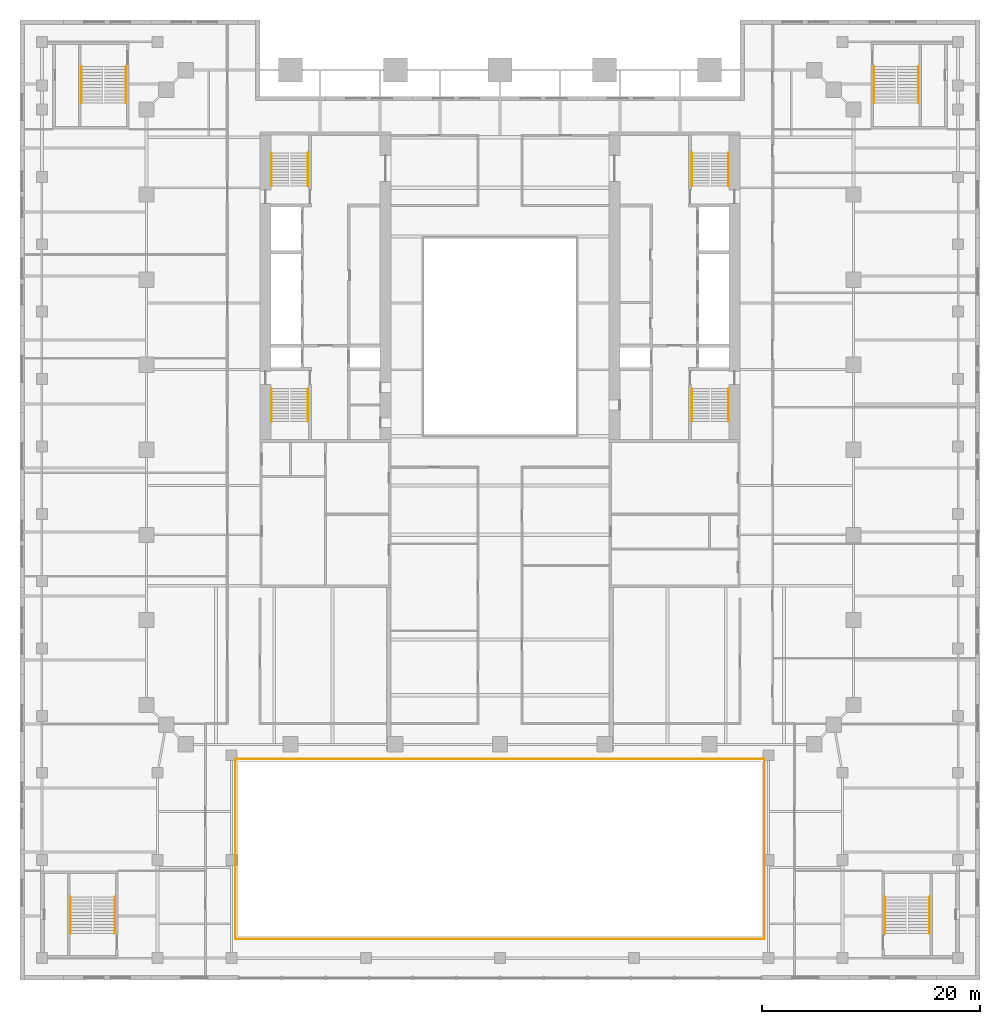
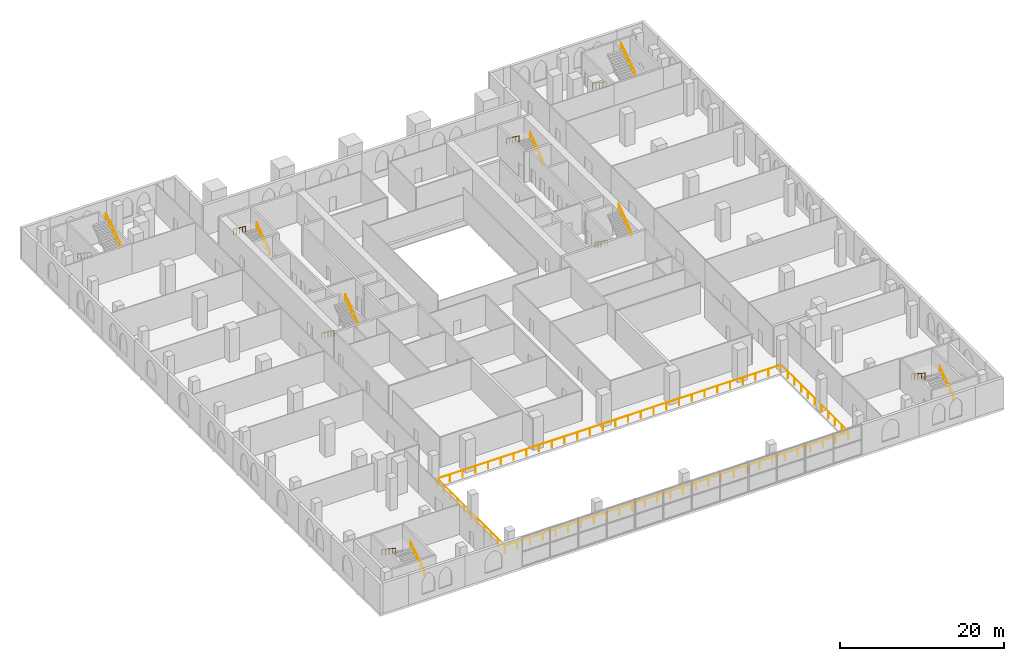
# One storey, part 19 of 19: 20 railings.
"""IFC4 building model written with IfcOpenShell, lengths in metres."""

import ifcopenshell
import ifcopenshell.guid

model = None  # the IFC model being written
_history = None  # IfcOwnerHistory: only IFC2X3 demands one
_inside = {}  # id of a spatial element -> (the spatial element, [elements in it])
_under = {}  # id of a project, library or spatial element -> (it, [spatial elements below it])
_declared = {}  # id of a project -> (the project, [libraries it declares])
_typed = {}  # id of a type object -> (the type object, [elements of that type])
_made_of = {}  # id of a material, layer set ... -> (it, [elements and type objects made of it])


def new_model(schema):
    """Start an empty IFC model of exactly this schema.

    Asked for "IFC4X3", IfcOpenShell would pick the latest addendum, in which some entities
    have other attributes; the version numbers below select the first issue.
    IFC2X3 requires an IfcOwnerHistory on every rooted entity: one is made here for all.
    """
    global model, _history
    if schema == "IFC4X3":
        model = ifcopenshell.file(schema_version=(4, 3, 0, 0))
    else:
        model = ifcopenshell.file(schema=schema)
    _inside.clear()
    _under.clear()
    _declared.clear()
    _typed.clear()
    _made_of.clear()
    _history = None
    if model.schema == "IFC2X3":
        org = make("IfcOrganization", Name="unknown")
        user = make(
            "IfcPersonAndOrganization",
            ThePerson=make("IfcPerson", FamilyName="unknown"),
            TheOrganization=org,
        )
        app = make(
            "IfcApplication",
            ApplicationDeveloper=org,
            Version="unknown",
            ApplicationFullName="unknown",
            ApplicationIdentifier="unknown",
        )
        _history = make(
            "IfcOwnerHistory",
            OwningUser=user,
            OwningApplication=app,
            ChangeAction="ADDED",
            CreationDate=0,
        )
    return model


def make(cls, **values):
    """One entity of the class cls with the attributes given. An attribute that is None is left unset."""
    return model.create_entity(
        cls, **{name: value for name, value in values.items() if value is not None}
    )


def rooted(cls, **values):
    """An entity with a GlobalId (a new one), such as an element, a storey or a relation."""
    return make(cls, GlobalId=ifcopenshell.guid.new(), OwnerHistory=_history, **values)


def si_unit(unit_type, name, prefix=None):
    """IfcSIUnit, for example si_unit("LENGTHUNIT", "METRE", prefix="MILLI")."""
    return make("IfcSIUnit", UnitType=unit_type, Prefix=prefix, Name=name)


def assignment(units):
    """IfcUnitAssignment: the units of a project."""
    return None if units is None else make("IfcUnitAssignment", Units=units)


def point(xyz):
    """IfcCartesianPoint."""
    return None if xyz is None else make("IfcCartesianPoint", Coordinates=xyz)


def direction(xyz):
    """IfcDirection."""
    return None if xyz is None else make("IfcDirection", DirectionRatios=xyz)


def frame(location, z_axis=None, x_axis=None):
    """IfcAxis2Placement3D, a coordinate frame: its origin and axes. An axis left out is left unset."""
    return make(
        "IfcAxis2Placement3D",
        Location=point(location),
        Axis=direction(z_axis),
        RefDirection=direction(x_axis),
    )


def frame_2d(location, x_axis=None):
    """IfcAxis2Placement2D, a coordinate frame in the plane: its origin and x axis."""
    return make(
        "IfcAxis2Placement2D", Location=point(location), RefDirection=direction(x_axis)
    )


def origin():
    """The frame at (0, 0, 0) with its axes left unset."""
    return frame((0.0, 0.0, 0.0))


def origin_2d():
    """The frame at (0, 0) in the plane with its x axis left unset."""
    return frame_2d((0.0, 0.0))


def place(relative_to, where):
    """IfcLocalPlacement: puts the frame where relative to a parent placement (None: the world)."""
    return make(
        "IfcLocalPlacement", PlacementRelTo=relative_to, RelativePlacement=where
    )


def context(
    kind, dimensions, precision=None, world=None, true_north=None, identifier=None
):
    """IfcGeometricRepresentationContext, for example the 3D "Model" context."""
    return make(
        "IfcGeometricRepresentationContext",
        ContextIdentifier=identifier,
        ContextType=kind,
        CoordinateSpaceDimension=dimensions,
        Precision=precision,
        WorldCoordinateSystem=world,
        TrueNorth=true_north,
    )


def subcontext(parent, identifier, kind, view, scale=None):
    """IfcGeometricRepresentationSubContext, for example "Body" below "Model"."""
    return make(
        "IfcGeometricRepresentationSubContext",
        ContextIdentifier=identifier,
        ContextType=kind,
        ParentContext=parent,
        TargetScale=scale,
        TargetView=view,
    )


def project(units=None, contexts=None):
    """IfcProject with its units and contexts."""
    return rooted(
        "IfcProject",
        Name="project",
        RepresentationContexts=contexts,
        UnitsInContext=assignment(units),
    )


def spatial(cls, under=None, at=None, **own):
    """A site, building, storey or space (cls), placed at a placement, below another one or the project."""
    s = rooted(cls, ObjectPlacement=at, **own)
    if under is not None:
        _under.setdefault(under.id(), (under, []))[1].append(s)
    return s


def profile(cls, at=None, kind="AREA", **sizes):
    """A parametric profile (cls). Its sizes go by their IFC names, for example OverallWidth=200.0."""
    return make(cls, ProfileType=kind, Position=at, **sizes)


def circle(**sizes):
    """IfcCircleProfileDef."""
    return profile("IfcCircleProfileDef", **sizes)


def extrude(swept, where, along, depth):
    """IfcExtrudedAreaSolid: the profile swept, set in the frame where, extruded along a direction by depth."""
    return make(
        "IfcExtrudedAreaSolid",
        SweptArea=swept,
        Position=where,
        ExtrudedDirection=direction(along),
        Depth=depth,
    )


def shape(context_of_items, identifier, shape_type, items):
    """IfcShapeRepresentation: the items that make up one representation, for example the "Body"."""
    return make(
        "IfcShapeRepresentation",
        ContextOfItems=context_of_items,
        RepresentationIdentifier=identifier,
        RepresentationType=shape_type,
        Items=items,
    )


def material(Name=None, Category=None):
    """IfcMaterial."""
    return make("IfcMaterial", Name=Name, Category=Category)


def made_of(thing, what):
    """Note that an element or type object is made of a material, layer set ...; save() writes the relation."""
    if what is not None:
        _made_of.setdefault(what.id(), (what, []))[1].append(thing)
    return thing


def type_object(cls, material=None, **own):
    """A type object (cls), such as IfcWallType, which elements share."""
    return made_of(rooted(cls, **own), material)


def element(
    cls,
    number,
    at=None,
    inside=None,
    cuts=None,
    type_object=None,
    material=None,
    context=None,
    identifier="Body",
    shape_type=None,
    held_by="IfcProductDefinitionShape",
    body=None,
    shapes=None,
    **own,
):
    """One element of the class cls, such as IfcWall. Its Tag is "e" and its number.

    at: its placement. inside: the storey or other place that contains it. cuts: it is an
    opening in that element (IfcRelVoidsElement). A single representation is given by context,
    identifier, shape_type and body (its items); several are given by shapes. held_by: the class
    of the entity that holds the representations. save() writes the other relations.
    """
    e = rooted(cls, Tag="e%d" % number, ObjectPlacement=at, **own)
    if body is not None:
        shapes = [shape(context, identifier, shape_type, body)]
    if shapes is not None:
        e.Representation = make(held_by, Representations=shapes)
    if inside is not None:
        _inside.setdefault(inside.id(), (inside, []))[1].append(e)
    if cuts is not None:
        rooted(
            "IfcRelVoidsElement", RelatingBuildingElement=cuts, RelatedOpeningElement=e
        )
    if type_object is not None:
        _typed.setdefault(type_object.id(), (type_object, []))[1].append(e)
    return made_of(e, material)


def aggregate(whole, parts):
    """IfcRelAggregates: a whole, such as a stair, and the parts it consists of."""
    return rooted("IfcRelAggregates", RelatingObject=whole, RelatedObjects=parts)


def save(model, path):
    """Write the relations noted so far, then the file.

    IfcRelAggregates (storeys below a building ...), IfcRelContainedInSpatialStructure (elements
    in a storey), IfcRelDefinesByType, IfcRelAssociatesMaterial and IfcRelDeclares: one each for
    every whole, place, type object, material and project.
    """
    for whole, parts in _under.values():
        aggregate(whole, parts)
    for where, things in _inside.values():
        rooted(
            "IfcRelContainedInSpatialStructure",
            RelatedElements=things,
            RelatingStructure=where,
        )
    for kind, things in _typed.values():
        rooted("IfcRelDefinesByType", RelatedObjects=things, RelatingType=kind)
    for what, things in _made_of.values():
        rooted("IfcRelAssociatesMaterial", RelatedObjects=things, RelatingMaterial=what)
    for by, libraries in _declared.values():
        rooted("IfcRelDeclares", RelatingContext=by, RelatedDefinitions=libraries)
    model.write(path)


model = new_model("IFC4")

# Units and contexts
model_context = context("Model", 3, precision=1e-05, world=origin(), true_north=direction((0.0, 1.0)))
body_context = subcontext(model_context, "Body", "Model", "MODEL_VIEW")
ifc_project = project(units=[si_unit("LENGTHUNIT", "METRE"), si_unit("AREAUNIT", "SQUARE_METRE"), si_unit("VOLUMEUNIT", "CUBIC_METRE"), si_unit("PLANEANGLEUNIT", "RADIAN"), si_unit("MASSUNIT", "GRAM", prefix="KILO")], contexts=[model_context])

# Site, building, storey
site_placement = place(None, origin())
site = spatial("IfcSite", under=ifc_project, at=site_placement, CompositionType="ELEMENT")
building_placement = place(site_placement, origin())
building = spatial("IfcBuilding", under=site, at=building_placement, Name="Ogive Exchange Tower", CompositionType="ELEMENT")
storey_placement = place(building_placement, frame((0.0, 0.0, 24.0)))
storey = spatial("IfcBuildingStorey", under=building, at=storey_placement, Name="L04", CompositionType="ELEMENT", Elevation=24.0)

# Railings
ifc_material_1 = material(Name="Stainless steel 316", Category="steel")
railing_type_1 = type_object("IfcRailingType", Name="Balustrade 1100 glass and stainless steel", PredefinedType="BALUSTRADE", material=ifc_material_1)
railing_1_placement = place(storey_placement, frame((-24.25, -48.25, 0.0)))
element("IfcRailing", 1, at=railing_1_placement, inside=storey, type_object=railing_type_1, Name="Galleria edge balustrade 1", PredefinedType="BALUSTRADE", context=body_context, shape_type="SweptSolid", body=[
    extrude(circle(Radius=0.02392578125, at=origin_2d()), frame((0.0, 0.0, 1.076171875), z_axis=(1.0, 0.0, 0.0), x_axis=(0.0, 1.0, 0.0)), (0.0, 0.0, 1.0), 48.5),
    extrude(circle(Radius=0.02099609375, at=origin_2d()), origin(), (0.0, 0.0, 1.0), 1.052001953125),
    extrude(circle(Radius=0.02099609375, at=origin_2d()), frame((1.79638671875, 0.0, 0.0)), (0.0, 0.0, 1.0), 1.052001953125),
    extrude(circle(Radius=0.02099609375, at=origin_2d()), frame((3.592529296875, 0.0, 0.0)), (0.0, 0.0, 1.0), 1.052001953125),
    extrude(circle(Radius=0.02099609375, at=origin_2d()), frame((5.388916015625, 0.0, 0.0)), (0.0, 0.0, 1.0), 1.052001953125),
    extrude(circle(Radius=0.02099609375, at=origin_2d()), frame((7.185302734375, 0.0, 0.0)), (0.0, 0.0, 1.0), 1.052001953125),
    extrude(circle(Radius=0.02099609375, at=origin_2d()), frame((8.9814453125, 0.0, 0.0)), (0.0, 0.0, 1.0), 1.052001953125),
    extrude(circle(Radius=0.02099609375, at=origin_2d()), frame((10.77783203125, 0.0, 0.0)), (0.0, 0.0, 1.0), 1.052001953125),
    extrude(circle(Radius=0.02099609375, at=origin_2d()), frame((12.573974609375, 0.0, 0.0)), (0.0, 0.0, 1.0), 1.052001953125),
    extrude(circle(Radius=0.02099609375, at=origin_2d()), frame((14.370361328125, 0.0, 0.0)), (0.0, 0.0, 1.0), 1.052001953125),
    extrude(circle(Radius=0.02099609375, at=origin_2d()), frame((16.166748046875, 0.0, 0.0)), (0.0, 0.0, 1.0), 1.052001953125),
    extrude(circle(Radius=0.02099609375, at=origin_2d()), frame((17.962890625, 0.0, 0.0)), (0.0, 0.0, 1.0), 1.052001953125),
    extrude(circle(Radius=0.02099609375, at=origin_2d()), frame((19.75927734375, 0.0, 0.0)), (0.0, 0.0, 1.0), 1.052001953125),
    extrude(circle(Radius=0.02099609375, at=origin_2d()), frame((21.5556640625, 0.0, 0.0)), (0.0, 0.0, 1.0), 1.052001953125),
    extrude(circle(Radius=0.02099609375, at=origin_2d()), frame((23.351806640625, 0.0, 0.0)), (0.0, 0.0, 1.0), 1.052001953125),
    extrude(circle(Radius=0.02099609375, at=origin_2d()), frame((25.148193359375, 0.0, 0.0)), (0.0, 0.0, 1.0), 1.052001953125),
    extrude(circle(Radius=0.02099609375, at=origin_2d()), frame((26.9443359375, 0.0, 0.0)), (0.0, 0.0, 1.0), 1.052001953125),
    extrude(circle(Radius=0.02099609375, at=origin_2d()), frame((28.74072265625, 0.0, 0.0)), (0.0, 0.0, 1.0), 1.052001953125),
    extrude(circle(Radius=0.02099609375, at=origin_2d()), frame((30.537109375, 0.0, 0.0)), (0.0, 0.0, 1.0), 1.052001953125),
    extrude(circle(Radius=0.02099609375, at=origin_2d()), frame((32.333251953125, 0.0, 0.0)), (0.0, 0.0, 1.0), 1.052001953125),
    extrude(circle(Radius=0.02099609375, at=origin_2d()), frame((34.129638671875, 0.0, 0.0)), (0.0, 0.0, 1.0), 1.052001953125),
    extrude(circle(Radius=0.02099609375, at=origin_2d()), frame((35.926025390625, 0.0, 0.0)), (0.0, 0.0, 1.0), 1.052001953125),
    extrude(circle(Radius=0.02099609375, at=origin_2d()), frame((37.72216796875, 0.0, 0.0)), (0.0, 0.0, 1.0), 1.052001953125),
    extrude(circle(Radius=0.02099609375, at=origin_2d()), frame((39.5185546875, 0.0, 0.0)), (0.0, 0.0, 1.0), 1.052001953125),
    extrude(circle(Radius=0.02099609375, at=origin_2d()), frame((41.314697265625, 0.0, 0.0)), (0.0, 0.0, 1.0), 1.052001953125),
    extrude(circle(Radius=0.02099609375, at=origin_2d()), frame((43.111083984375, 0.0, 0.0)), (0.0, 0.0, 1.0), 1.052001953125),
    extrude(circle(Radius=0.02099609375, at=origin_2d()), frame((44.907470703125, 0.0, 0.0)), (0.0, 0.0, 1.0), 1.052001953125),
    extrude(circle(Radius=0.02099609375, at=origin_2d()), frame((46.70361328125, 0.0, 0.0)), (0.0, 0.0, 1.0), 1.052001953125),
    extrude(circle(Radius=0.02099609375, at=origin_2d()), frame((48.5, 0.0, 0.0)), (0.0, 0.0, 1.0), 1.052001953125),
])
railing_2_placement = place(storey_placement, frame((24.25, -48.25, 0.0)))
element("IfcRailing", 2, at=railing_2_placement, inside=storey, type_object=railing_type_1, Name="Galleria edge balustrade 2", PredefinedType="BALUSTRADE", context=body_context, shape_type="SweptSolid", body=[
    extrude(circle(Radius=0.02392578125, at=origin_2d()), frame((0.0, 0.0, 1.076171875), z_axis=(0.0, 1.0, 0.0), x_axis=(-1.0, 0.0, 0.0)), (0.0, 0.0, 1.0), 16.5),
    extrude(circle(Radius=0.02099609375, at=origin_2d()), origin(), (0.0, 0.0, 1.0), 1.052001953125),
    extrude(circle(Radius=0.02099609375, at=origin_2d()), frame((0.0, 1.64990234375, 0.0)), (0.0, 0.0, 1.0), 1.052001953125),
    extrude(circle(Radius=0.02099609375, at=origin_2d()), frame((0.0, 3.300048828125, 0.0)), (0.0, 0.0, 1.0), 1.052001953125),
    extrude(circle(Radius=0.02099609375, at=origin_2d()), frame((0.0, 4.949951171875, 0.0)), (0.0, 0.0, 1.0), 1.052001953125),
    extrude(circle(Radius=0.02099609375, at=origin_2d()), frame((0.0, 6.60009765625, 0.0)), (0.0, 0.0, 1.0), 1.052001953125),
    extrude(circle(Radius=0.02099609375, at=origin_2d()), frame((0.0, 8.25, 0.0)), (0.0, 0.0, 1.0), 1.052001953125),
    extrude(circle(Radius=0.02099609375, at=origin_2d()), frame((0.0, 9.89990234375, 0.0)), (0.0, 0.0, 1.0), 1.052001953125),
    extrude(circle(Radius=0.02099609375, at=origin_2d()), frame((0.0, 11.550048828125, 0.0)), (0.0, 0.0, 1.0), 1.052001953125),
    extrude(circle(Radius=0.02099609375, at=origin_2d()), frame((0.0, 13.199951171875, 0.0)), (0.0, 0.0, 1.0), 1.052001953125),
    extrude(circle(Radius=0.02099609375, at=origin_2d()), frame((0.0, 14.85009765625, 0.0)), (0.0, 0.0, 1.0), 1.052001953125),
    extrude(circle(Radius=0.02099609375, at=origin_2d()), frame((0.0, 16.5, 0.0)), (0.0, 0.0, 1.0), 1.052001953125),
])
railing_3_placement = place(storey_placement, frame((24.25, -31.75, 0.0)))
element("IfcRailing", 3, at=railing_3_placement, inside=storey, type_object=railing_type_1, Name="Galleria edge balustrade 3", PredefinedType="BALUSTRADE", context=body_context, shape_type="SweptSolid", body=[
    extrude(circle(Radius=0.02392578125, at=origin_2d()), frame((0.0, 0.0, 1.076171875), z_axis=(-1.0, 0.0, 0.0), x_axis=(0.0, -1.0, 0.0)), (0.0, 0.0, 1.0), 48.5),
    extrude(circle(Radius=0.02099609375, at=origin_2d()), origin(), (0.0, 0.0, 1.0), 1.052001953125),
    extrude(circle(Radius=0.02099609375, at=origin_2d()), frame((-1.79638671875, 0.0, 0.0)), (0.0, 0.0, 1.0), 1.052001953125),
    extrude(circle(Radius=0.02099609375, at=origin_2d()), frame((-3.592529296875, 0.0, 0.0)), (0.0, 0.0, 1.0), 1.052001953125),
    extrude(circle(Radius=0.02099609375, at=origin_2d()), frame((-5.388916015625, 0.0, 0.0)), (0.0, 0.0, 1.0), 1.052001953125),
    extrude(circle(Radius=0.02099609375, at=origin_2d()), frame((-7.185302734375, 0.0, 0.0)), (0.0, 0.0, 1.0), 1.052001953125),
    extrude(circle(Radius=0.02099609375, at=origin_2d()), frame((-8.9814453125, 0.0, 0.0)), (0.0, 0.0, 1.0), 1.052001953125),
    extrude(circle(Radius=0.02099609375, at=origin_2d()), frame((-10.77783203125, 0.0, 0.0)), (0.0, 0.0, 1.0), 1.052001953125),
    extrude(circle(Radius=0.02099609375, at=origin_2d()), frame((-12.573974609375, 0.0, 0.0)), (0.0, 0.0, 1.0), 1.052001953125),
    extrude(circle(Radius=0.02099609375, at=origin_2d()), frame((-14.370361328125, 0.0, 0.0)), (0.0, 0.0, 1.0), 1.052001953125),
    extrude(circle(Radius=0.02099609375, at=origin_2d()), frame((-16.166748046875, 0.0, 0.0)), (0.0, 0.0, 1.0), 1.052001953125),
    extrude(circle(Radius=0.02099609375, at=origin_2d()), frame((-17.962890625, 0.0, 0.0)), (0.0, 0.0, 1.0), 1.052001953125),
    extrude(circle(Radius=0.02099609375, at=origin_2d()), frame((-19.75927734375, 0.0, 0.0)), (0.0, 0.0, 1.0), 1.052001953125),
    extrude(circle(Radius=0.02099609375, at=origin_2d()), frame((-21.5556640625, 0.0, 0.0)), (0.0, 0.0, 1.0), 1.052001953125),
    extrude(circle(Radius=0.02099609375, at=origin_2d()), frame((-23.351806640625, 0.0, 0.0)), (0.0, 0.0, 1.0), 1.052001953125),
    extrude(circle(Radius=0.02099609375, at=origin_2d()), frame((-25.148193359375, 0.0, 0.0)), (0.0, 0.0, 1.0), 1.052001953125),
    extrude(circle(Radius=0.02099609375, at=origin_2d()), frame((-26.9443359375, 0.0, 0.0)), (0.0, 0.0, 1.0), 1.052001953125),
    extrude(circle(Radius=0.02099609375, at=origin_2d()), frame((-28.74072265625, 0.0, 0.0)), (0.0, 0.0, 1.0), 1.052001953125),
    extrude(circle(Radius=0.02099609375, at=origin_2d()), frame((-30.537109375, 0.0, 0.0)), (0.0, 0.0, 1.0), 1.052001953125),
    extrude(circle(Radius=0.02099609375, at=origin_2d()), frame((-32.333251953125, 0.0, 0.0)), (0.0, 0.0, 1.0), 1.052001953125),
    extrude(circle(Radius=0.02099609375, at=origin_2d()), frame((-34.129638671875, 0.0, 0.0)), (0.0, 0.0, 1.0), 1.052001953125),
    extrude(circle(Radius=0.02099609375, at=origin_2d()), frame((-35.926025390625, 0.0, 0.0)), (0.0, 0.0, 1.0), 1.052001953125),
    extrude(circle(Radius=0.02099609375, at=origin_2d()), frame((-37.72216796875, 0.0, 0.0)), (0.0, 0.0, 1.0), 1.052001953125),
    extrude(circle(Radius=0.02099609375, at=origin_2d()), frame((-39.5185546875, 0.0, 0.0)), (0.0, 0.0, 1.0), 1.052001953125),
    extrude(circle(Radius=0.02099609375, at=origin_2d()), frame((-41.314697265625, 0.0, 0.0)), (0.0, 0.0, 1.0), 1.052001953125),
    extrude(circle(Radius=0.02099609375, at=origin_2d()), frame((-43.111083984375, 0.0, 0.0)), (0.0, 0.0, 1.0), 1.052001953125),
    extrude(circle(Radius=0.02099609375, at=origin_2d()), frame((-44.907470703125, 0.0, 0.0)), (0.0, 0.0, 1.0), 1.052001953125),
    extrude(circle(Radius=0.02099609375, at=origin_2d()), frame((-46.70361328125, 0.0, 0.0)), (0.0, 0.0, 1.0), 1.052001953125),
    extrude(circle(Radius=0.02099609375, at=origin_2d()), frame((-48.5, 0.0, 0.0)), (0.0, 0.0, 1.0), 1.052001953125),
])
railing_4_placement = place(storey_placement, frame((-24.25, -31.75, 0.0)))
element("IfcRailing", 4, at=railing_4_placement, inside=storey, type_object=railing_type_1, Name="Galleria edge balustrade 4", PredefinedType="BALUSTRADE", context=body_context, shape_type="SweptSolid", body=[
    extrude(circle(Radius=0.02392578125, at=origin_2d()), frame((0.0, 0.0, 1.076171875), z_axis=(0.0, -1.0, 0.0), x_axis=(1.0, 0.0, 0.0)), (0.0, 0.0, 1.0), 16.5),
    extrude(circle(Radius=0.02099609375, at=origin_2d()), origin(), (0.0, 0.0, 1.0), 1.052001953125),
    extrude(circle(Radius=0.02099609375, at=origin_2d()), frame((0.0, -1.64990234375, 0.0)), (0.0, 0.0, 1.0), 1.052001953125),
    extrude(circle(Radius=0.02099609375, at=origin_2d()), frame((0.0, -3.300048828125, 0.0)), (0.0, 0.0, 1.0), 1.052001953125),
    extrude(circle(Radius=0.02099609375, at=origin_2d()), frame((0.0, -4.949951171875, 0.0)), (0.0, 0.0, 1.0), 1.052001953125),
    extrude(circle(Radius=0.02099609375, at=origin_2d()), frame((0.0, -6.60009765625, 0.0)), (0.0, 0.0, 1.0), 1.052001953125),
    extrude(circle(Radius=0.02099609375, at=origin_2d()), frame((0.0, -8.25, 0.0)), (0.0, 0.0, 1.0), 1.052001953125),
    extrude(circle(Radius=0.02099609375, at=origin_2d()), frame((0.0, -9.89990234375, 0.0)), (0.0, 0.0, 1.0), 1.052001953125),
    extrude(circle(Radius=0.02099609375, at=origin_2d()), frame((0.0, -11.550048828125, 0.0)), (0.0, 0.0, 1.0), 1.052001953125),
    extrude(circle(Radius=0.02099609375, at=origin_2d()), frame((0.0, -13.199951171875, 0.0)), (0.0, 0.0, 1.0), 1.052001953125),
    extrude(circle(Radius=0.02099609375, at=origin_2d()), frame((0.0, -14.85009765625, 0.0)), (0.0, 0.0, 1.0), 1.052001953125),
    extrude(circle(Radius=0.02099609375, at=origin_2d()), frame((0.0, -16.5, 0.0)), (0.0, 0.0, 1.0), 1.052001953125),
])
ifc_material_2 = material(Name="Stainless steel", Category="steel")
railing_type_2 = type_object("IfcRailingType", Name="Stair handrail 900", PredefinedType="HANDRAIL", material=ifc_material_2)
railing_5_placement = place(storey_placement, frame((-20.949951171875, 2.199951171875, 0.1845703125)))
element("IfcRailing", 5, at=railing_5_placement, inside=storey, type_object=railing_type_2, Name="L04 ST1 stair handrail 1", PredefinedType="HANDRAIL", context=body_context, shape_type="SweptSolid", body=[
    extrude(circle(Radius=0.02392578125, at=origin_2d()), frame((0.0, 0.0, 0.8759765625), z_axis=(0.0, -0.804440004972, 0.594033903411), x_axis=(1.0, 0.0, 0.0)), (0.0, 0.0, 1.0), 3.729248046875),
    extrude(circle(Radius=0.02099609375, at=origin_2d()), origin(), (0.0, 0.0, 1.0), 0.851806640625),
    extrude(circle(Radius=0.02099609375, at=origin_2d()), frame((0.0, -0.75, 0.5537109375)), (0.0, 0.0, 1.0), 0.851806640625),
    extrude(circle(Radius=0.02099609375, at=origin_2d()), frame((0.0, -1.5, 1.107666015625)), (0.0, 0.0, 1.0), 0.851806640625),
    extrude(circle(Radius=0.02099609375, at=origin_2d()), frame((0.0, -2.25, 1.66162109375)), (0.0, 0.0, 1.0), 0.851806640625),
    extrude(circle(Radius=0.02099609375, at=origin_2d()), frame((0.0, -3.0, 2.21533203125)), (0.0, 0.0, 1.0), 0.851806640625),
])
for number, where, name in (
    (6, (-17.60009765625, -0.800048828125, 2.584716796875), "L04 ST1 stair handrail 2"),
    (7, (-17.60009765625, 20.800048828125, 0.1845703125), "L04 ST2 stair handrail 1"),
):
    element("IfcRailing", number, at=place(storey_placement, frame(where)), inside=storey, type_object=railing_type_2, Name=name, PredefinedType="HANDRAIL", context=body_context, shape_type="SweptSolid", body=[
        extrude(circle(Radius=0.02392578125, at=origin_2d()), frame((0.0, 0.0, 0.8759765625), z_axis=(0.0, 0.804440004972, 0.594033903411), x_axis=(-1.0, 0.0, 0.0)), (0.0, 0.0, 1.0), 3.729248046875),
        extrude(circle(Radius=0.02099609375, at=origin_2d()), origin(), (0.0, 0.0, 1.0), 0.851806640625),
        extrude(circle(Radius=0.02099609375, at=origin_2d()), frame((0.0, 0.75, 0.5537109375)), (0.0, 0.0, 1.0), 0.851806640625),
        extrude(circle(Radius=0.02099609375, at=origin_2d()), frame((0.0, 1.5, 1.107666015625)), (0.0, 0.0, 1.0), 0.851806640625),
        extrude(circle(Radius=0.02099609375, at=origin_2d()), frame((0.0, 2.25, 1.66162109375)), (0.0, 0.0, 1.0), 0.851806640625),
        extrude(circle(Radius=0.02099609375, at=origin_2d()), frame((0.0, 3.0, 2.21533203125)), (0.0, 0.0, 1.0), 0.851806640625),
    ])
for number, where, name in (
    (8, (-20.949951171875, 23.800048828125, 2.584716796875), "L04 ST2 stair handrail 2"),
    (9, (17.60009765625, 2.199951171875, 0.1845703125), "L04 ST3 stair handrail 1"),
):
    element("IfcRailing", number, at=place(storey_placement, frame(where)), inside=storey, type_object=railing_type_2, Name=name, PredefinedType="HANDRAIL", context=body_context, shape_type="SweptSolid", body=[
        extrude(circle(Radius=0.02392578125, at=origin_2d()), frame((0.0, 0.0, 0.8759765625), z_axis=(0.0, -0.804440004972, 0.594033903411), x_axis=(1.0, 0.0, 0.0)), (0.0, 0.0, 1.0), 3.729248046875),
        extrude(circle(Radius=0.02099609375, at=origin_2d()), origin(), (0.0, 0.0, 1.0), 0.851806640625),
        extrude(circle(Radius=0.02099609375, at=origin_2d()), frame((0.0, -0.75, 0.5537109375)), (0.0, 0.0, 1.0), 0.851806640625),
        extrude(circle(Radius=0.02099609375, at=origin_2d()), frame((0.0, -1.5, 1.107666015625)), (0.0, 0.0, 1.0), 0.851806640625),
        extrude(circle(Radius=0.02099609375, at=origin_2d()), frame((0.0, -2.25, 1.66162109375)), (0.0, 0.0, 1.0), 0.851806640625),
        extrude(circle(Radius=0.02099609375, at=origin_2d()), frame((0.0, -3.0, 2.21533203125)), (0.0, 0.0, 1.0), 0.851806640625),
    ])
for number, where, name in (
    (10, (20.949951171875, -0.800048828125, 2.584716796875), "L04 ST3 stair handrail 2"),
    (11, (20.949951171875, 20.800048828125, 0.1845703125), "L04 ST4 stair handrail 1"),
):
    element("IfcRailing", number, at=place(storey_placement, frame(where)), inside=storey, type_object=railing_type_2, Name=name, PredefinedType="HANDRAIL", context=body_context, shape_type="SweptSolid", body=[
        extrude(circle(Radius=0.02392578125, at=origin_2d()), frame((0.0, 0.0, 0.8759765625), z_axis=(0.0, 0.804440004972, 0.594033903411), x_axis=(-1.0, 0.0, 0.0)), (0.0, 0.0, 1.0), 3.729248046875),
        extrude(circle(Radius=0.02099609375, at=origin_2d()), origin(), (0.0, 0.0, 1.0), 0.851806640625),
        extrude(circle(Radius=0.02099609375, at=origin_2d()), frame((0.0, 0.75, 0.5537109375)), (0.0, 0.0, 1.0), 0.851806640625),
        extrude(circle(Radius=0.02099609375, at=origin_2d()), frame((0.0, 1.5, 1.107666015625)), (0.0, 0.0, 1.0), 0.851806640625),
        extrude(circle(Radius=0.02099609375, at=origin_2d()), frame((0.0, 2.25, 1.66162109375)), (0.0, 0.0, 1.0), 0.851806640625),
        extrude(circle(Radius=0.02099609375, at=origin_2d()), frame((0.0, 3.0, 2.21533203125)), (0.0, 0.0, 1.0), 0.851806640625),
    ])
railing_6_placement = place(storey_placement, frame((17.60009765625, 23.800048828125, 2.584716796875)))
element("IfcRailing", 12, at=railing_6_placement, inside=storey, type_object=railing_type_2, Name="L04 ST4 stair handrail 2", PredefinedType="HANDRAIL", context=body_context, shape_type="SweptSolid", body=[
    extrude(circle(Radius=0.02392578125, at=origin_2d()), frame((0.0, 0.0, 0.8759765625), z_axis=(0.0, -0.804440004972, 0.594033903411), x_axis=(1.0, 0.0, 0.0)), (0.0, 0.0, 1.0), 3.729248046875),
    extrude(circle(Radius=0.02099609375, at=origin_2d()), origin(), (0.0, 0.0, 1.0), 0.851806640625),
    extrude(circle(Radius=0.02099609375, at=origin_2d()), frame((0.0, -0.75, 0.5537109375)), (0.0, 0.0, 1.0), 0.851806640625),
    extrude(circle(Radius=0.02099609375, at=origin_2d()), frame((0.0, -1.5, 1.107666015625)), (0.0, 0.0, 1.0), 0.851806640625),
    extrude(circle(Radius=0.02099609375, at=origin_2d()), frame((0.0, -2.25, 1.66162109375)), (0.0, 0.0, 1.0), 0.851806640625),
    extrude(circle(Radius=0.02099609375, at=origin_2d()), frame((0.0, -3.0, 2.21533203125)), (0.0, 0.0, 1.0), 0.851806640625),
])
railing_7_placement = place(storey_placement, frame((-35.300048828125, -47.75, 0.1845703125)))
element("IfcRailing", 13, at=railing_7_placement, inside=storey, type_object=railing_type_2, Name="L04 PS1 stair handrail 1", PredefinedType="HANDRAIL", context=body_context, shape_type="SweptSolid", body=[
    extrude(circle(Radius=0.02392578125, at=origin_2d()), frame((0.0, 0.0, 0.8759765625), z_axis=(0.0, 0.834876476806, 0.550437342915), x_axis=(-1.0, 0.0, 0.0)), (0.0, 0.0, 1.0), 4.024658203125),
    extrude(circle(Radius=0.02099609375, at=origin_2d()), origin(), (0.0, 0.0, 1.0), 0.851806640625),
    extrude(circle(Radius=0.02099609375, at=origin_2d()), frame((0.0, 0.840087890625, 0.5537109375)), (0.0, 0.0, 1.0), 0.851806640625),
    extrude(circle(Radius=0.02099609375, at=origin_2d()), frame((0.0, 1.68017578125, 1.107666015625)), (0.0, 0.0, 1.0), 0.851806640625),
    extrude(circle(Radius=0.02099609375, at=origin_2d()), frame((0.0, 2.52001953125, 1.66162109375)), (0.0, 0.0, 1.0), 0.851806640625),
    extrude(circle(Radius=0.02099609375, at=origin_2d()), frame((0.0, 3.360107421875, 2.21533203125)), (0.0, 0.0, 1.0), 0.851806640625),
])
railing_8_placement = place(storey_placement, frame((-39.35009765625, -44.389892578125, 2.584716796875)))
element("IfcRailing", 14, at=railing_8_placement, inside=storey, type_object=railing_type_2, Name="L04 PS1 stair handrail 2", PredefinedType="HANDRAIL", context=body_context, shape_type="SweptSolid", body=[
    extrude(circle(Radius=0.02392578125, at=origin_2d()), frame((0.0, 0.0, 0.8759765625), z_axis=(0.0, -0.834876476806, 0.550437342915), x_axis=(1.0, 0.0, 0.0)), (0.0, 0.0, 1.0), 4.024658203125),
    extrude(circle(Radius=0.02099609375, at=origin_2d()), origin(), (0.0, 0.0, 1.0), 0.851806640625),
    extrude(circle(Radius=0.02099609375, at=origin_2d()), frame((0.0, -0.840087890625, 0.5537109375)), (0.0, 0.0, 1.0), 0.851806640625),
    extrude(circle(Radius=0.02099609375, at=origin_2d()), frame((0.0, -1.68017578125, 1.107666015625)), (0.0, 0.0, 1.0), 0.851806640625),
    extrude(circle(Radius=0.02099609375, at=origin_2d()), frame((0.0, -2.52001953125, 1.66162109375)), (0.0, 0.0, 1.0), 0.851806640625),
    extrude(circle(Radius=0.02099609375, at=origin_2d()), frame((0.0, -3.360107421875, 2.21533203125)), (0.0, 0.0, 1.0), 0.851806640625),
])
railing_9_placement = place(storey_placement, frame((39.35009765625, -47.75, 0.1845703125)))
element("IfcRailing", 15, at=railing_9_placement, inside=storey, type_object=railing_type_2, Name="L04 PS2 stair handrail 1", PredefinedType="HANDRAIL", context=body_context, shape_type="SweptSolid", body=[
    extrude(circle(Radius=0.02392578125, at=origin_2d()), frame((0.0, 0.0, 0.8759765625), z_axis=(0.0, 0.834876476806, 0.550437342915), x_axis=(-1.0, 0.0, 0.0)), (0.0, 0.0, 1.0), 4.024658203125),
    extrude(circle(Radius=0.02099609375, at=origin_2d()), origin(), (0.0, 0.0, 1.0), 0.851806640625),
    extrude(circle(Radius=0.02099609375, at=origin_2d()), frame((0.0, 0.840087890625, 0.5537109375)), (0.0, 0.0, 1.0), 0.851806640625),
    extrude(circle(Radius=0.02099609375, at=origin_2d()), frame((0.0, 1.68017578125, 1.107666015625)), (0.0, 0.0, 1.0), 0.851806640625),
    extrude(circle(Radius=0.02099609375, at=origin_2d()), frame((0.0, 2.52001953125, 1.66162109375)), (0.0, 0.0, 1.0), 0.851806640625),
    extrude(circle(Radius=0.02099609375, at=origin_2d()), frame((0.0, 3.360107421875, 2.21533203125)), (0.0, 0.0, 1.0), 0.851806640625),
])
for number, where, name in (
    (16, (35.300048828125, -44.389892578125, 2.584716796875), "L04 PS2 stair handrail 2"),
    (17, (-38.35009765625, 31.75, 0.1845703125), "L04 PS3 stair handrail 1"),
):
    element("IfcRailing", number, at=place(storey_placement, frame(where)), inside=storey, type_object=railing_type_2, Name=name, PredefinedType="HANDRAIL", context=body_context, shape_type="SweptSolid", body=[
        extrude(circle(Radius=0.02392578125, at=origin_2d()), frame((0.0, 0.0, 0.8759765625), z_axis=(0.0, -0.834876476806, 0.550437342915), x_axis=(1.0, 0.0, 0.0)), (0.0, 0.0, 1.0), 4.024658203125),
        extrude(circle(Radius=0.02099609375, at=origin_2d()), origin(), (0.0, 0.0, 1.0), 0.851806640625),
        extrude(circle(Radius=0.02099609375, at=origin_2d()), frame((0.0, -0.840087890625, 0.5537109375)), (0.0, 0.0, 1.0), 0.851806640625),
        extrude(circle(Radius=0.02099609375, at=origin_2d()), frame((0.0, -1.68017578125, 1.107666015625)), (0.0, 0.0, 1.0), 0.851806640625),
        extrude(circle(Radius=0.02099609375, at=origin_2d()), frame((0.0, -2.52001953125, 1.66162109375)), (0.0, 0.0, 1.0), 0.851806640625),
        extrude(circle(Radius=0.02099609375, at=origin_2d()), frame((0.0, -3.360107421875, 2.21533203125)), (0.0, 0.0, 1.0), 0.851806640625),
    ])
railing_10_placement = place(storey_placement, frame((-34.300048828125, 28.389892578125, 2.584716796875)))
element("IfcRailing", 18, at=railing_10_placement, inside=storey, type_object=railing_type_2, Name="L04 PS3 stair handrail 2", PredefinedType="HANDRAIL", context=body_context, shape_type="SweptSolid", body=[
    extrude(circle(Radius=0.02392578125, at=origin_2d()), frame((0.0, 0.0, 0.8759765625), z_axis=(0.0, 0.834876476806, 0.550437342915), x_axis=(-1.0, 0.0, 0.0)), (0.0, 0.0, 1.0), 4.024658203125),
    extrude(circle(Radius=0.02099609375, at=origin_2d()), origin(), (0.0, 0.0, 1.0), 0.851806640625),
    extrude(circle(Radius=0.02099609375, at=origin_2d()), frame((0.0, 0.840087890625, 0.5537109375)), (0.0, 0.0, 1.0), 0.851806640625),
    extrude(circle(Radius=0.02099609375, at=origin_2d()), frame((0.0, 1.68017578125, 1.107666015625)), (0.0, 0.0, 1.0), 0.851806640625),
    extrude(circle(Radius=0.02099609375, at=origin_2d()), frame((0.0, 2.52001953125, 1.66162109375)), (0.0, 0.0, 1.0), 0.851806640625),
    extrude(circle(Radius=0.02099609375, at=origin_2d()), frame((0.0, 3.360107421875, 2.21533203125)), (0.0, 0.0, 1.0), 0.851806640625),
])
railing_11_placement = place(storey_placement, frame((34.300048828125, 31.75, 0.1845703125)))
element("IfcRailing", 19, at=railing_11_placement, inside=storey, type_object=railing_type_2, Name="L04 PS4 stair handrail 1", PredefinedType="HANDRAIL", context=body_context, shape_type="SweptSolid", body=[
    extrude(circle(Radius=0.02392578125, at=origin_2d()), frame((0.0, 0.0, 0.8759765625), z_axis=(0.0, -0.834876476806, 0.550437342915), x_axis=(1.0, 0.0, 0.0)), (0.0, 0.0, 1.0), 4.024658203125),
    extrude(circle(Radius=0.02099609375, at=origin_2d()), origin(), (0.0, 0.0, 1.0), 0.851806640625),
    extrude(circle(Radius=0.02099609375, at=origin_2d()), frame((0.0, -0.840087890625, 0.5537109375)), (0.0, 0.0, 1.0), 0.851806640625),
    extrude(circle(Radius=0.02099609375, at=origin_2d()), frame((0.0, -1.68017578125, 1.107666015625)), (0.0, 0.0, 1.0), 0.851806640625),
    extrude(circle(Radius=0.02099609375, at=origin_2d()), frame((0.0, -2.52001953125, 1.66162109375)), (0.0, 0.0, 1.0), 0.851806640625),
    extrude(circle(Radius=0.02099609375, at=origin_2d()), frame((0.0, -3.360107421875, 2.21533203125)), (0.0, 0.0, 1.0), 0.851806640625),
])
railing_12_placement = place(storey_placement, frame((38.35009765625, 28.389892578125, 2.584716796875)))
element("IfcRailing", 20, at=railing_12_placement, inside=storey, type_object=railing_type_2, Name="L04 PS4 stair handrail 2", PredefinedType="HANDRAIL", context=body_context, shape_type="SweptSolid", body=[
    extrude(circle(Radius=0.02392578125, at=origin_2d()), frame((0.0, 0.0, 0.8759765625), z_axis=(0.0, 0.834876476806, 0.550437342915), x_axis=(-1.0, 0.0, 0.0)), (0.0, 0.0, 1.0), 4.024658203125),
    extrude(circle(Radius=0.02099609375, at=origin_2d()), origin(), (0.0, 0.0, 1.0), 0.851806640625),
    extrude(circle(Radius=0.02099609375, at=origin_2d()), frame((0.0, 0.840087890625, 0.5537109375)), (0.0, 0.0, 1.0), 0.851806640625),
    extrude(circle(Radius=0.02099609375, at=origin_2d()), frame((0.0, 1.68017578125, 1.107666015625)), (0.0, 0.0, 1.0), 0.851806640625),
    extrude(circle(Radius=0.02099609375, at=origin_2d()), frame((0.0, 2.52001953125, 1.66162109375)), (0.0, 0.0, 1.0), 0.851806640625),
    extrude(circle(Radius=0.02099609375, at=origin_2d()), frame((0.0, 3.360107421875, 2.21533203125)), (0.0, 0.0, 1.0), 0.851806640625),
])

save(model, "model.ifc")
